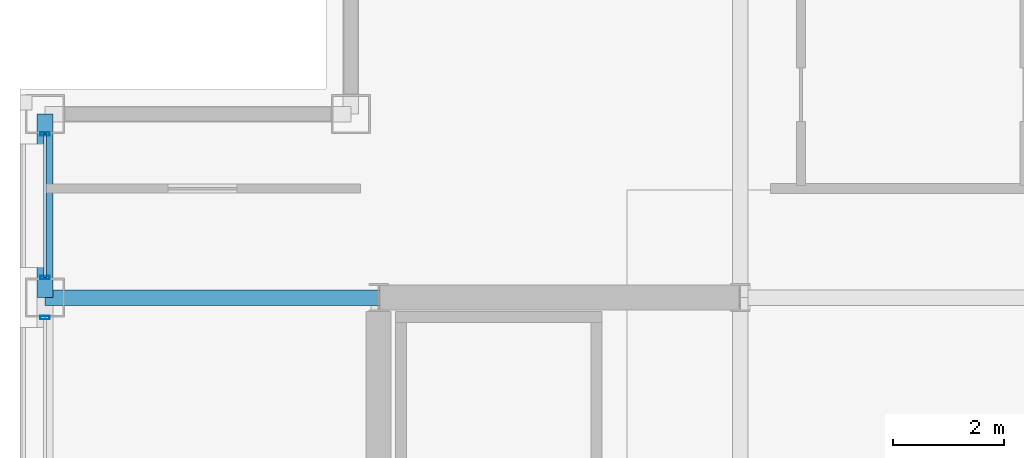
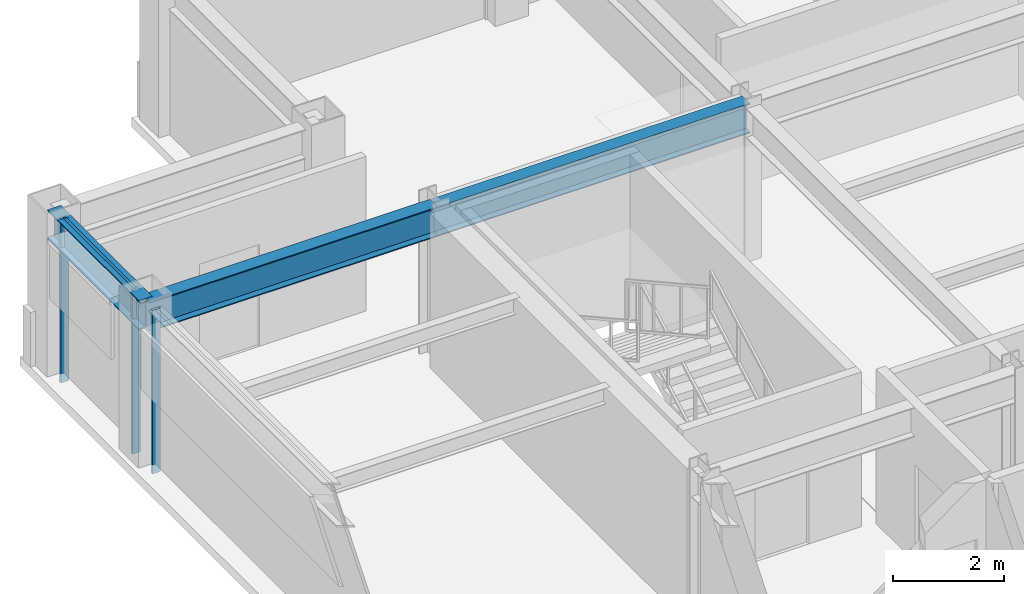
# One storey, part 10 of 30: 4 members, 3 beams, 2 elements without a shape of their own.
"""IFC4 building model written with IfcOpenShell, lengths in metres."""

from ifc_helpers import new_model, si_unit, direction, frame, origin, origin_2d, place, context, subcontext, project, spatial, hollow_rectangle, i_section, extrude, material, layer, layer_set, material_profile, profile_set, type_object, element, aggregate, save


model = new_model("IFC4")

# Units and contexts
model_context = context("Model", 3, precision=1e-05, world=origin(), true_north=direction((0.0, 1.0)))
body_context = subcontext(model_context, "Body", "Model", "MODEL_VIEW")
ifc_project = project(units=[si_unit("LENGTHUNIT", "METRE"), si_unit("AREAUNIT", "SQUARE_METRE"), si_unit("VOLUMEUNIT", "CUBIC_METRE"), si_unit("PLANEANGLEUNIT", "RADIAN"), si_unit("MASSUNIT", "GRAM", prefix="KILO")], contexts=[model_context])

# Site, building, storey
site_placement = place(None, origin())
site = spatial("IfcSite", under=ifc_project, at=site_placement, CompositionType="ELEMENT")
building_placement = place(site_placement, origin())
building = spatial("IfcBuilding", under=site, at=building_placement, Name="Brelmoor Portico Tower", CompositionType="ELEMENT")
storey_placement = place(building_placement, frame((0.0, 0.0, 198.300048828125)))
storey = spatial("IfcBuildingStorey", under=building, at=storey_placement, Name="L52", CompositionType="ELEMENT", Elevation=198.300048828125)

# Beams
ifc_material_1 = material(Name="Steel Q355B", Category="steel")
ifc_material_profile_1 = material_profile(ifc_material_1, i_section(OverallWidth=0.280029296875, OverallDepth=0.64990234375, WebThickness=0.012939453125, FlangeThickness=0.02197265625, at=origin_2d()), Name="HN 650x280x13x22")
ifc_profile_set_1 = profile_set([ifc_material_profile_1], Name="Steel Q355B")
beam_type_1 = type_object("IfcBeamType", Name="BM-PG-650", PredefinedType="BEAM", material=ifc_profile_set_1)
beam_1_placement = place(storey_placement, frame((-20.550048828125, 9.75, 3.074951171875), z_axis=(1.0, 0.0, 0.0), x_axis=(0.0, 1.0, 0.0)))
element("IfcBeam", 1, at=beam_1_placement, inside=storey, type_object=beam_type_1, Name="L52 Primary Floor Girder PG-19", PredefinedType="BEAM", context=body_context, shape_type="SweptSolid", body=[
    extrude(i_section(OverallWidth=0.280029296875, OverallDepth=0.64990234375, WebThickness=0.012939453125, FlangeThickness=0.02197265625, at=origin_2d()), origin(), (0.0, 0.0, 1.0), 6.0),
])
beam_2_placement = place(storey_placement, frame((-14.550048828125, 9.75, 3.074951171875), z_axis=(1.0, 0.0, 0.0), x_axis=(0.0, 1.0, 0.0)))
element("IfcBeam", 2, at=beam_2_placement, inside=storey, type_object=beam_type_1, Name="L52 Primary Floor Girder PG-20", PredefinedType="BEAM", context=body_context, shape_type="SweptSolid", body=[
    extrude(i_section(OverallWidth=0.280029296875, OverallDepth=0.64990234375, WebThickness=0.012939453125, FlangeThickness=0.02197265625, at=origin_2d()), origin(), (0.0, 0.0, 1.0), 6.5),
])
ifc_material_profile_2 = material_profile(ifc_material_1, i_section(OverallWidth=0.280029296875, OverallDepth=0.64990234375, WebThickness=0.012939453125, FlangeThickness=0.02197265625, at=origin_2d()), Name="HN 650x280x13x22")
ifc_profile_set_2 = profile_set([ifc_material_profile_2], Name="Steel Q355B")
beam_type_2 = type_object("IfcBeamType", Name="BM-SP-650", PredefinedType="SPANDREL", material=ifc_profile_set_2)
beam_3_placement = place(storey_placement, frame((-20.550048828125, 9.75, 3.074951171875), z_axis=(0.0, 1.0, 0.0), x_axis=(-1.0, 0.0, 0.0)))
element("IfcBeam", 3, at=beam_3_placement, inside=storey, type_object=beam_type_2, Name="L52 Perimeter Spandrel Beam SP-13", PredefinedType="SPANDREL", context=body_context, shape_type="SweptSolid", body=[
    extrude(i_section(OverallWidth=0.280029296875, OverallDepth=0.64990234375, WebThickness=0.012939453125, FlangeThickness=0.02197265625, at=origin_2d()), origin(), (0.0, 0.0, 1.0), 3.300048828125),
])

# Curtain wall, member
ifc_material_2 = material(Name="Anodised Aluminium Alloy 6063-T6", Category="aluminium")
ifc_layer = layer(ifc_material_2, 0.179931640625)
ifc_layer_set = layer_set([ifc_layer], Name="Anodised Aluminium Alloy 6063-T6")
curtain_wall_type = type_object("IfcCurtainWallType", Name="CW-TOWER-Z3-XB", PredefinedType="NOTDEFINED", material=ifc_layer_set)
curtain_wall_1_placement = place(storey_placement, origin())
curtain_wall_1 = element("IfcCurtainWall", 4, at=curtain_wall_1_placement, inside=storey, type_object=curtain_wall_type, Name="L52 Curtain Wall CW-L52-03-2", PredefinedType="NOTDEFINED")
ifc_material_profile_3 = material_profile(ifc_material_2, hollow_rectangle(XDim=0.06494140625, YDim=0.1650390625, WallThickness=0.00390625, at=origin_2d()), Name="ALU MULLION 65x165")
ifc_profile_set_3 = profile_set([ifc_material_profile_3], Name="Anodised Aluminium Alloy 6063-T6")
member_type_1 = type_object("IfcMemberType", Name="MB-CW-MULL-165", PredefinedType="MULLION", material=ifc_profile_set_3)
member_1_placement = place(storey_placement, frame((-20.550048828125, 9.389892578125, -0.199951171875), z_axis=(0.0, 0.0, 1.0), x_axis=(0.0, 1.0, 0.0)))
member_1 = element("IfcMember", 5, at=member_1_placement, type_object=member_type_1, Name="CW-L52-03-2 Mullion 02", PredefinedType="MULLION", context=body_context, shape_type="SweptSolid", body=[
    extrude(hollow_rectangle(XDim=0.06494140625, YDim=0.1650390625, WallThickness=0.00390625, at=origin_2d()), origin(), (0.0, 0.0, 1.0), 3.599853515625),
])
aggregate(curtain_wall_1, [member_1])

# Curtain wall, members
curtain_wall_2_placement = place(storey_placement, origin())
curtain_wall_2 = element("IfcCurtainWall", 6, at=curtain_wall_2_placement, inside=storey, type_object=curtain_wall_type, Name="L52 Curtain Wall CW-L52-03-3", PredefinedType="NOTDEFINED")
member_2_placement = place(storey_placement, frame((-20.550048828125, 10.110107421875, -0.199951171875), z_axis=(0.0, 0.0, 1.0), x_axis=(0.0, 1.0, 0.0)))
member_2 = element("IfcMember", 7, at=member_2_placement, type_object=member_type_1, Name="CW-L52-03-3 Mullion 00", PredefinedType="MULLION", context=body_context, shape_type="SweptSolid", body=[
    extrude(hollow_rectangle(XDim=0.06494140625, YDim=0.1650390625, WallThickness=0.00390625, at=origin_2d()), origin(), (0.0, 0.0, 1.0), 3.599853515625),
])
member_3_placement = place(storey_placement, frame((-20.550048828125, 12.68994140625, -0.199951171875), z_axis=(0.0, 0.0, 1.0), x_axis=(0.0, 1.0, 0.0)))
member_3 = element("IfcMember", 8, at=member_3_placement, type_object=member_type_1, Name="CW-L52-03-3 Mullion 01", PredefinedType="MULLION", context=body_context, shape_type="SweptSolid", body=[
    extrude(hollow_rectangle(XDim=0.06494140625, YDim=0.1650390625, WallThickness=0.00390625, at=origin_2d()), origin(), (0.0, 0.0, 1.0), 3.599853515625),
])
ifc_material_profile_4 = material_profile(ifc_material_2, hollow_rectangle(XDim=0.06005859375, YDim=0.125, WallThickness=0.00341796875, at=origin_2d()), Name="ALU TRANSOM 60x125")
ifc_profile_set_4 = profile_set([ifc_material_profile_4], Name="Anodised Aluminium Alloy 6063-T6")
member_type_2 = type_object("IfcMemberType", Name="MB-CW-TRAN-125", PredefinedType="USERDEFINED", material=ifc_profile_set_4)
member_4_placement = place(storey_placement, frame((-20.550048828125, 10.110107421875, 3.33740234375), z_axis=(0.0, 1.0, 0.0), x_axis=(-1.0, 0.0, 0.0)))
member_4 = element("IfcMember", 9, at=member_4_placement, type_object=member_type_2, Name="CW-L52-03-3 Transom 1-00", ObjectType="TRANSOM", PredefinedType="USERDEFINED", context=body_context, shape_type="SweptSolid", body=[
    extrude(hollow_rectangle(XDim=0.06005859375, YDim=0.125, WallThickness=0.00341796875, at=origin_2d()), origin(), (0.0, 0.0, 1.0), 2.579833984375),
])
aggregate(curtain_wall_2, [member_2, member_3, member_4])

save(model, "model.ifc")
